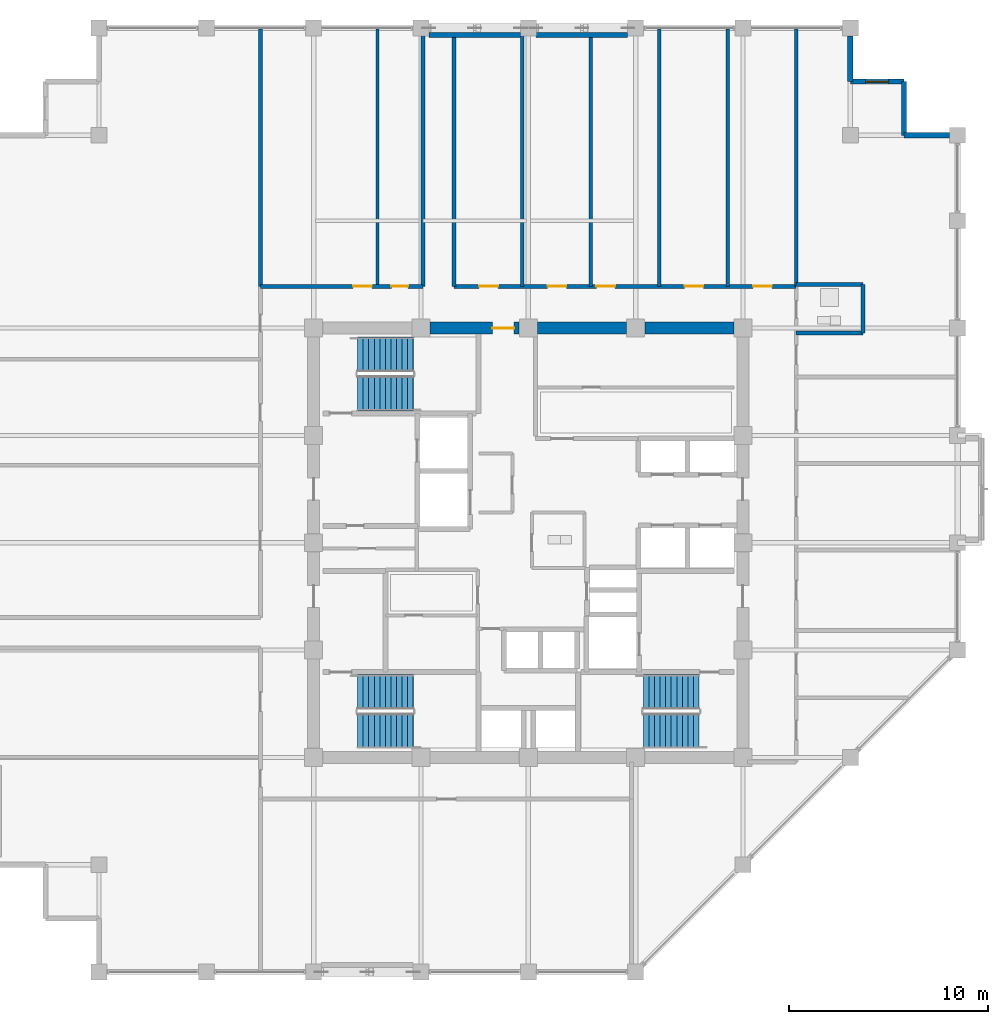
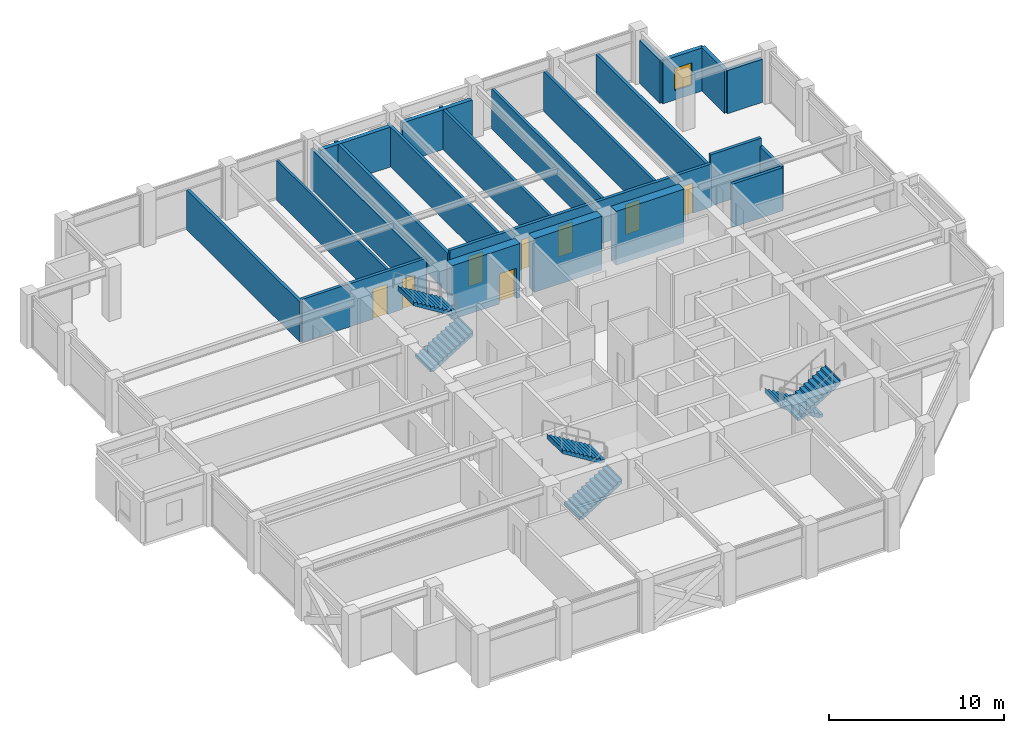
# One storey, part 25 of 28: 23 walls, 8 doors, 6 stair flights, 1 window, 9 openings, 3 elements without a shape of their own.
"""IFC4 building model written with IfcOpenShell, lengths in metres."""

from ifc_helpers import new_model, si_unit, direction, frame, frame_2d, origin, place, context, subcontext, project, spatial, polyline, rectangle, outline, extrude, material, layer, layer_set, type_object, element, fill, aggregate, save


model = new_model("IFC4")

# Units and contexts
model_context = context("Model", 3, precision=1e-05, world=origin(), true_north=direction((0.0, 1.0)))
body_context = subcontext(model_context, "Body", "Model", "MODEL_VIEW")
ifc_project = project(units=[si_unit("LENGTHUNIT", "METRE"), si_unit("AREAUNIT", "SQUARE_METRE"), si_unit("VOLUMEUNIT", "CUBIC_METRE"), si_unit("PLANEANGLEUNIT", "RADIAN"), si_unit("MASSUNIT", "GRAM", prefix="KILO")], contexts=[model_context])

# Site, building, storey
site_placement = place(None, origin())
site = spatial("IfcSite", under=ifc_project, at=site_placement, CompositionType="ELEMENT")
building_placement = place(site_placement, origin())
building = spatial("IfcBuilding", under=site, at=building_placement, Name="Surkhivell Harbour Commons", CompositionType="ELEMENT")
storey_placement = place(building_placement, frame((0.0, 0.0, 242.25)))
storey = spatial("IfcBuildingStorey", under=building, at=storey_placement, Name="L63", CompositionType="ELEMENT", Elevation=242.25)

# Wall, opening, door
ifc_material_1 = material(Name="Concrete C60/75", Category="concrete")
ifc_layer_1 = layer(ifc_material_1, 0.60009765625)
ifc_layer_set_1 = layer_set([ifc_layer_1], Name="Concrete C60/75")
wall_type_1 = type_object("IfcWallType", Name="WAL-CORE-600", PredefinedType="SHEAR", material=ifc_layer_set_1)
wall_1_placement = place(storey_placement, frame((-4.93994140625, 10.800048828125, 0.0), z_axis=(0.0, 0.0, 1.0), x_axis=(1.0, 0.0, 0.0)))
wall_1 = element("IfcWall", 1, at=wall_1_placement, inside=storey, type_object=wall_type_1, Name="L63 Core Shear Wall North 2", PredefinedType="SHEAR", context=body_context, shape_type="SweptSolid", body=[
    extrude(rectangle(XDim=4.47998046875, YDim=0.60009765625, at=frame_2d((2.239990234375, 0.0))), origin(), (0.0, 0.0, 1.0), 3.75),
])
opening_1_placement = place(wall_1_placement, frame((3.1298828125, 0.0, 0.0)))
opening_1 = element("IfcOpeningElement", 2, at=opening_1_placement, cuts=wall_1, Name="Opening ID-2", PredefinedType="OPENING", context=body_context, shape_type="SweptSolid", body=[
    extrude(rectangle(XDim=1.10009765625, YDim=2.10009765625, at=frame_2d((0.550048828125, 1.050048828125))), frame((0.0, 0.31005859375, 0.0), z_axis=(0.0, -1.0, 0.0), x_axis=(1.0, 0.0, 0.0)), (0.0, 0.0, 1.0), 0.6201171875),
])
ifc_material_2 = material(Name="Hardwood-veneered fire-rated door leaf", Category="wood")
door_type_1 = type_object("IfcDoorType", Name="DOR-FD60-1100", OperationType="NOTDEFINED", PredefinedType="DOOR", material=ifc_material_2)
door_1_placement = place(opening_1_placement, origin())
door_1 = element("IfcDoor", 3, at=door_1_placement, inside=storey, type_object=door_type_1, Name="L63 Central Core Lift Hall North Corridor Door", OperationType="SINGLE_SWING_LEFT", OverallHeight=2.10009765625, OverallWidth=1.10009765625, PredefinedType="DOOR", context=body_context, shape_type="SweptSolid", body=[
    extrude(rectangle(XDim=1.10009765625, YDim=2.10009765625, at=frame_2d((0.550048828125, 1.050048828125))), frame((0.0, 0.02490234375, 0.0), z_axis=(0.0, -1.0, 0.0), x_axis=(1.0, 0.0, 0.0)), (0.0, 0.0, 1.0), 0.050048828125),
])
fill(opening_1, door_1)

# Walls
for number, where, z_axis, x_axis, name in (
    (4, (0.4599609375, 10.800048828125, 0.0), (0.0, 0.0, 1.0), (1.0, 0.0, 0.0), "L63 Core Shear Wall North 3"),
    (5, (5.860107421875, 10.800048828125, 0.0), (0.0, 0.0, 1.0), (1.0, 0.0, 0.0), "L63 Core Shear Wall North 4"),
):
    element("IfcWall", number, at=place(storey_placement, frame(where, z_axis=z_axis, x_axis=x_axis)), inside=storey, type_object=wall_type_1, Name=name, PredefinedType="SHEAR", context=body_context, shape_type="SweptSolid", body=[
        extrude(rectangle(XDim=4.47998046875, YDim=0.60009765625, at=frame_2d((2.239990234375, 0.0))), origin(), (0.0, 0.0, 1.0), 3.75),
    ])
ifc_material_3 = material(Name="Pale-metal insulated precast concrete C45/55", Category="concrete")
ifc_layer_2 = layer(ifc_material_3, 0.260009765625)
ifc_layer_set_2 = layer_set([ifc_layer_2], Name="Pale-metal insulated precast concrete C45/55")
wall_type_2 = type_object("IfcWallType", Name="WAL-EXT-MTL260", PredefinedType="STANDARD", material=ifc_layer_set_2)
wall_2_placement = place(storey_placement, frame((21.201904296875, 20.5, 0.0), z_axis=(0.0, 0.0, 1.0), x_axis=(-1.0, 0.0, 0.0)))
element("IfcWall", 6, at=wall_2_placement, inside=storey, type_object=wall_type_2, Name="L63 Serrated Corner Facade Wall 03", PredefinedType="STANDARD", context=body_context, shape_type="SweptSolid", body=[
    extrude(rectangle(XDim=2.302001953125, YDim=0.260009765625, at=frame_2d((1.15087890625, 0.0))), origin(), (0.0, 0.0, 1.0), 3.006103515625),
])
wall_3_placement = place(storey_placement, frame((18.89990234375, 20.5, 0.0), z_axis=(0.0, 0.0, 1.0), x_axis=(0.0, 1.0, 0.0)))
element("IfcWall", 7, at=wall_3_placement, inside=storey, type_object=wall_type_2, Name="L63 Serrated Corner Facade Wall 04", PredefinedType="STANDARD", context=body_context, shape_type="SweptSolid", body=[
    extrude(rectangle(XDim=2.699951171875, YDim=0.260009765625, at=frame_2d((1.35009765625, 0.0))), origin(), (0.0, 0.0, 1.0), 3.006103515625),
])

# Wall, opening, window
wall_4_placement = place(storey_placement, frame((18.89990234375, 23.199951171875, 0.0), z_axis=(0.0, 0.0, 1.0), x_axis=(-1.0, 0.0, 0.0)))
wall_4 = element("IfcWall", 8, at=wall_4_placement, inside=storey, type_object=wall_type_2, Name="L63 Serrated Corner Facade Wall 05", PredefinedType="STANDARD", context=body_context, shape_type="SweptSolid", body=[
    extrude(rectangle(XDim=2.699951171875, YDim=0.260009765625, at=frame_2d((1.35009765625, 0.0))), origin(), (0.0, 0.0, 1.0), 3.006103515625),
])
opening_2_placement = place(wall_4_placement, frame((0.77490234375, 0.0, 0.64990234375)))
opening_2 = element("IfcOpeningElement", 9, at=opening_2_placement, cuts=wall_4, Name="Opening WN-10", PredefinedType="OPENING", context=body_context, shape_type="SweptSolid", body=[
    extrude(rectangle(XDim=1.14990234375, YDim=1.550048828125, at=frame_2d((0.574951171875, 0.77490234375))), frame((0.0, 0.139892578125, 0.0), z_axis=(0.0, -1.0, 0.0), x_axis=(1.0, 0.0, 0.0)), (0.0, 0.0, 1.0), 0.280029296875),
])
ifc_material_4 = material(Name="Thermal-break aluminium frame and double low-E glazing", Category="aluminium")
window_type = type_object("IfcWindowType", Name="WIN-SER-1150x1550", PartitioningType="SINGLE_PANEL", PredefinedType="WINDOW", material=ifc_material_4)
window_placement = place(opening_2_placement, origin())
window = element("IfcWindow", 10, at=window_placement, inside=storey, type_object=window_type, Name="L63 Serrated Alcove Window 05", OverallHeight=1.550048828125, OverallWidth=1.14990234375, PartitioningType="SINGLE_PANEL", PredefinedType="WINDOW", context=body_context, shape_type="SweptSolid", body=[
    extrude(rectangle(XDim=1.14990234375, YDim=1.550048828125, at=frame_2d((0.574951171875, 0.77490234375))), frame((0.0, 0.030029296875, 0.0), z_axis=(0.0, -1.0, 0.0), x_axis=(1.0, 0.0, 0.0)), (0.0, 0.0, 1.0), 0.06005859375),
])
fill(opening_2, window)

# Walls
wall_5_placement = place(storey_placement, frame((16.199951171875, 23.199951171875, 0.0), z_axis=(0.0, 0.0, 1.0), x_axis=(0.0, 1.0, 0.0)))
element("IfcWall", 11, at=wall_5_placement, inside=storey, type_object=wall_type_2, Name="L63 Serrated Corner Facade Wall 06", PredefinedType="STANDARD", context=body_context, shape_type="SweptSolid", body=[
    extrude(rectangle(XDim=2.302001953125, YDim=0.260009765625, at=frame_2d((1.15087890625, 0.0))), origin(), (0.0, 0.0, 1.0), 3.006103515625),
])
for number, where, z_axis, x_axis, name in (
    (12, (-0.39794921875, 25.5400390625, 0.0), (0.0, 0.0, 1.0), (-1.0, 0.0, 0.0), "L63 Braced-Bay Insulated Spandrel Backing N"),
    (13, (5.001953125, 25.5400390625, 0.0), (0.0, 0.0, 1.0), (-1.0, 0.0, 0.0), "L63 Braced-Bay Insulated Spandrel Backing N2"),
):
    element("IfcWall", number, at=place(storey_placement, frame(where, z_axis=z_axis, x_axis=x_axis)), inside=storey, type_object=wall_type_2, Name=name, PredefinedType="STANDARD", context=body_context, shape_type="SweptSolid", body=[
        extrude(rectangle(XDim=4.60400390625, YDim=0.260009765625, at=frame_2d((2.302001953125, 0.0))), origin(), (0.0, 0.0, 1.0), 2.780029296875),
    ])
ifc_material_5 = material(Name="Twin-stud acoustic fireboard partition", Category="other")
ifc_layer_3 = layer(ifc_material_5, 0.14990234375)
ifc_layer_set_3 = layer_set([ifc_layer_3], Name="Twin-stud acoustic fireboard partition")
wall_type_3 = type_object("IfcWallType", Name="WAL-INT-150", PredefinedType="PARTITIONING", material=ifc_layer_set_3)
wall_6_placement = place(storey_placement, frame((-7.590087890625, 12.89990234375, 0.0), z_axis=(0.0, 0.0, 1.0), x_axis=(0.0, 1.0, 0.0)))
element("IfcWall", 14, at=wall_6_placement, inside=storey, type_object=wall_type_3, Name="L63 North-West Partition P1", PredefinedType="PARTITIONING", context=body_context, shape_type="SweptSolid", body=[
    extrude(rectangle(XDim=12.940185546875, YDim=0.14990234375, at=frame_2d((6.47021484375, 0.0))), origin(), (0.0, 0.0, 1.0), 2.780029296875),
])
ifc_material_6 = material(Name="High-density acoustic blockwork fire partition", Category="masonry")
ifc_layer_4 = layer(ifc_material_6, 0.175048828125)
ifc_layer_set_4 = layer_set([ifc_layer_4], Name="High-density acoustic blockwork fire partition")
wall_type_4 = type_object("IfcWallType", Name="WAL-INT-175", PredefinedType="PARTITIONING", material=ifc_layer_set_4)
for number, where, z_axis, x_axis, name in (
    (15, (-0.300048828125, 12.89990234375, 0.0), (0.0, 0.0, 1.0), (0.0, 1.0, 0.0), "L63 North-East Partition P1"),
    (16, (3.139892578125, 12.89990234375, 0.0), (0.0, 0.0, 1.0), (0.0, 1.0, 0.0), "L63 North-East Partition P2"),
    (17, (6.590087890625, 12.89990234375, 0.0), (0.0, 0.0, 1.0), (0.0, 1.0, 0.0), "L63 North-East Partition P3"),
    (18, (10.030029296875, 12.89990234375, 0.0), (0.0, 0.0, 1.0), (0.0, 1.0, 0.0), "L63 North-East Partition P4"),
):
    element("IfcWall", number, at=place(storey_placement, frame(where, z_axis=z_axis, x_axis=x_axis)), inside=storey, type_object=wall_type_4, Name=name, PredefinedType="PARTITIONING", context=body_context, shape_type="SweptSolid", body=[
        extrude(rectangle(XDim=12.940185546875, YDim=0.175048828125, at=frame_2d((6.47021484375, 0.0))), origin(), (0.0, 0.0, 1.0), 2.780029296875),
    ])
ifc_material_7 = material(Name="Autoclaved aerated concrete blockwork and fire plaster", Category="masonry")
ifc_layer_5 = layer(ifc_material_7, 0.199951171875)
ifc_layer_set_5 = layer_set([ifc_layer_5], Name="Autoclaved aerated concrete blockwork and fire plaster")
wall_type_5 = type_object("IfcWallType", Name="WAL-INT-200", PredefinedType="PARTITIONING", material=ifc_layer_set_5)
for number, where, z_axis, x_axis, name in (
    (19, (13.47998046875, 12.89990234375, 0.0), (0.0, 0.0, 1.0), (0.0, 1.0, 0.0), "L63 North-East Corner Wall"),
    (20, (-13.47998046875, 12.89990234375, 0.0), (0.0, 0.0, 1.0), (0.0, 1.0, 0.0), "L63 North-West Corner Wall"),
):
    element("IfcWall", number, at=place(storey_placement, frame(where, z_axis=z_axis, x_axis=x_axis)), inside=storey, type_object=wall_type_5, Name=name, PredefinedType="PARTITIONING", context=body_context, shape_type="SweptSolid", body=[
        extrude(rectangle(XDim=12.940185546875, YDim=0.199951171875, at=frame_2d((6.47021484375, 0.0))), origin(), (0.0, 0.0, 1.0), 2.780029296875),
    ])

# Wall, openings, doors
wall_7_placement = place(storey_placement, frame((-13.47998046875, 12.89990234375, 0.0), z_axis=(0.0, 0.0, 1.0), x_axis=(1.0, 0.0, 0.0)))
wall_7 = element("IfcWall", 21, at=wall_7_placement, inside=storey, type_object=wall_type_5, Name="L63 Corridor North-West Wall", PredefinedType="PARTITIONING", context=body_context, shape_type="SweptSolid", body=[
    extrude(rectangle(XDim=8.179931640625, YDim=0.199951171875, at=frame_2d((4.08984375, 0.0))), origin(), (0.0, 0.0, 1.0), 3.006103515625),
])
opening_3_placement = place(wall_7_placement, frame((4.659912109375, 0.0, 0.0)))
opening_3 = element("IfcOpeningElement", 22, at=opening_3_placement, cuts=wall_7, Name="Opening ID-4", PredefinedType="OPENING", context=body_context, shape_type="SweptSolid", body=[
    extrude(rectangle(XDim=0.949951171875, YDim=2.10009765625, at=frame_2d((0.47509765625, 1.050048828125))), frame((0.0, 0.10986328125, 0.0), z_axis=(0.0, -1.0, 0.0), x_axis=(1.0, 0.0, 0.0)), (0.0, 0.0, 1.0), 0.219970703125),
])
opening_4_placement = place(wall_7_placement, frame((6.5849609375, 0.0, 0.0)))
opening_4 = element("IfcOpeningElement", 23, at=opening_4_placement, cuts=wall_7, Name="Opening ID-6", PredefinedType="OPENING", context=body_context, shape_type="SweptSolid", body=[
    extrude(rectangle(XDim=0.85009765625, YDim=2.10009765625, at=frame_2d((0.425048828125, 1.050048828125))), frame((0.0, 0.10986328125, 0.0), z_axis=(0.0, -1.0, 0.0), x_axis=(1.0, 0.0, 0.0)), (0.0, 0.0, 1.0), 0.219970703125),
])
door_type_2 = type_object("IfcDoorType", Name="DOR-FD30-850", OperationType="NOTDEFINED", PredefinedType="DOOR", material=ifc_material_2)
door_2_placement = place(opening_4_placement, origin())
door_2 = element("IfcDoor", 24, at=door_2_placement, inside=storey, type_object=door_type_2, Name="L63 Resident Advisory Reception Desk North-West Door", OperationType="SINGLE_SWING_RIGHT", OverallHeight=2.10009765625, OverallWidth=0.85009765625, PredefinedType="DOOR", context=body_context, shape_type="SweptSolid", body=[
    extrude(rectangle(XDim=0.85009765625, YDim=2.10009765625, at=frame_2d((0.425048828125, 1.050048828125))), frame((0.0, 0.02490234375, 0.0), z_axis=(0.0, -1.0, 0.0), x_axis=(1.0, 0.0, 0.0)), (0.0, 0.0, 1.0), 0.050048828125),
])
fill(opening_4, door_2)
door_type_3 = type_object("IfcDoorType", Name="DOR-FD60-950", OperationType="NOTDEFINED", PredefinedType="DOOR", material=ifc_material_2)
door_3_placement = place(opening_3_placement, origin())
door_3 = element("IfcDoor", 25, at=door_3_placement, inside=storey, type_object=door_type_3, Name="L63 Zone Concierge Reception Foyer North-West Door", OperationType="SINGLE_SWING_LEFT", OverallHeight=2.10009765625, OverallWidth=0.949951171875, PredefinedType="DOOR", context=body_context, shape_type="SweptSolid", body=[
    extrude(rectangle(XDim=0.949951171875, YDim=2.10009765625, at=frame_2d((0.47509765625, 1.050048828125))), frame((0.0, 0.02490234375, 0.0), z_axis=(0.0, -1.0, 0.0), x_axis=(1.0, 0.0, 0.0)), (0.0, 0.0, 1.0), 0.050048828125),
])
fill(opening_3, door_3)

wall_8_placement = place(storey_placement, frame((-3.75, 12.89990234375, 0.0), z_axis=(0.0, 0.0, 1.0), x_axis=(1.0, 0.0, 0.0)))
wall_8 = element("IfcWall", 26, at=wall_8_placement, inside=storey, type_object=wall_type_5, Name="L63 Corridor North-East Wall", PredefinedType="PARTITIONING", context=body_context, shape_type="SweptSolid", body=[
    extrude(rectangle(XDim=17.22998046875, YDim=0.199951171875, at=frame_2d((8.614990234375, 0.0))), origin(), (0.0, 0.0, 1.0), 3.006103515625),
])
opening_5_placement = place(wall_8_placement, frame((1.27490234375, 0.0, 0.0)))
opening_5 = element("IfcOpeningElement", 27, at=opening_5_placement, cuts=wall_8, Name="Opening ID-4", PredefinedType="OPENING", context=body_context, shape_type="SweptSolid", body=[
    extrude(rectangle(XDim=0.949951171875, YDim=2.10009765625, at=frame_2d((0.47509765625, 1.050048828125))), frame((0.0, 0.10986328125, 0.0), z_axis=(0.0, -1.0, 0.0), x_axis=(1.0, 0.0, 0.0)), (0.0, 0.0, 1.0), 0.219970703125),
])
opening_6_placement = place(wall_8_placement, frame((4.719970703125, 0.0, 0.0)))
opening_6 = element("IfcOpeningElement", 28, at=opening_6_placement, cuts=wall_8, Name="Opening ID-4", PredefinedType="OPENING", context=body_context, shape_type="SweptSolid", body=[
    extrude(rectangle(XDim=0.949951171875, YDim=2.10009765625, at=frame_2d((0.47509765625, 1.050048828125))), frame((0.0, 0.10986328125, 0.0), z_axis=(0.0, -1.0, 0.0), x_axis=(1.0, 0.0, 0.0)), (0.0, 0.0, 1.0), 0.219970703125),
])
opening_7_placement = place(wall_8_placement, frame((7.169921875, 0.0, 0.0)))
opening_7 = element("IfcOpeningElement", 29, at=opening_7_placement, cuts=wall_8, Name="Opening ID-4", PredefinedType="OPENING", context=body_context, shape_type="SweptSolid", body=[
    extrude(rectangle(XDim=0.949951171875, YDim=2.10009765625, at=frame_2d((0.47509765625, 1.050048828125))), frame((0.0, 0.10986328125, 0.0), z_axis=(0.0, -1.0, 0.0), x_axis=(1.0, 0.0, 0.0)), (0.0, 0.0, 1.0), 0.219970703125),
])
opening_8_placement = place(wall_8_placement, frame((11.610107421875, 0.0, 0.0)))
opening_8 = element("IfcOpeningElement", 30, at=opening_8_placement, cuts=wall_8, Name="Opening ID-4", PredefinedType="OPENING", context=body_context, shape_type="SweptSolid", body=[
    extrude(rectangle(XDim=0.949951171875, YDim=2.10009765625, at=frame_2d((0.47509765625, 1.050048828125))), frame((0.0, 0.10986328125, 0.0), z_axis=(0.0, -1.0, 0.0), x_axis=(1.0, 0.0, 0.0)), (0.0, 0.0, 1.0), 0.219970703125),
])
opening_9_placement = place(wall_8_placement, frame((15.054931640625, 0.0, 0.0)))
opening_9 = element("IfcOpeningElement", 31, at=opening_9_placement, cuts=wall_8, Name="Opening ID-4", PredefinedType="OPENING", context=body_context, shape_type="SweptSolid", body=[
    extrude(rectangle(XDim=0.949951171875, YDim=2.10009765625, at=frame_2d((0.47509765625, 1.050048828125))), frame((0.0, 0.10986328125, 0.0), z_axis=(0.0, -1.0, 0.0), x_axis=(1.0, 0.0, 0.0)), (0.0, 0.0, 1.0), 0.219970703125),
])
door_4_placement = place(opening_5_placement, origin())
door_4 = element("IfcDoor", 32, at=door_4_placement, inside=storey, type_object=door_type_3, Name="L63 Co-Working Study Office Pod 1 North-East Door", OperationType="SINGLE_SWING_LEFT", OverallHeight=2.10009765625, OverallWidth=0.949951171875, PredefinedType="DOOR", context=body_context, shape_type="SweptSolid", body=[
    extrude(rectangle(XDim=0.949951171875, YDim=2.10009765625, at=frame_2d((0.47509765625, 1.050048828125))), frame((0.0, 0.02490234375, 0.0), z_axis=(0.0, -1.0, 0.0), x_axis=(1.0, 0.0, 0.0)), (0.0, 0.0, 1.0), 0.050048828125),
])
fill(opening_5, door_4)
door_5_placement = place(opening_6_placement, origin())
door_5 = element("IfcDoor", 33, at=door_5_placement, inside=storey, type_object=door_type_3, Name="L63 Academic Seminar Pod 2 North-East Door", OperationType="SINGLE_SWING_RIGHT", OverallHeight=2.10009765625, OverallWidth=0.949951171875, PredefinedType="DOOR", context=body_context, shape_type="SweptSolid", body=[
    extrude(rectangle(XDim=0.949951171875, YDim=2.10009765625, at=frame_2d((0.47509765625, 1.050048828125))), frame((0.0, 0.02490234375, 0.0), z_axis=(0.0, -1.0, 0.0), x_axis=(1.0, 0.0, 0.0)), (0.0, 0.0, 1.0), 0.050048828125),
])
fill(opening_6, door_5)
door_6_placement = place(opening_7_placement, origin())
door_6 = element("IfcDoor", 34, at=door_6_placement, inside=storey, type_object=door_type_3, Name="L63 Harbour Espresso Cafe Shop 3 North-East Door", OperationType="SINGLE_SWING_LEFT", OverallHeight=2.10009765625, OverallWidth=0.949951171875, PredefinedType="DOOR", context=body_context, shape_type="SweptSolid", body=[
    extrude(rectangle(XDim=0.949951171875, YDim=2.10009765625, at=frame_2d((0.47509765625, 1.050048828125))), frame((0.0, 0.02490234375, 0.0), z_axis=(0.0, -1.0, 0.0), x_axis=(1.0, 0.0, 0.0)), (0.0, 0.0, 1.0), 0.050048828125),
])
fill(opening_7, door_6)
door_7_placement = place(opening_8_placement, origin())
door_7 = element("IfcDoor", 35, at=door_7_placement, inside=storey, type_object=door_type_3, Name="L63 Zone Concierge Reception Foyer 4 North-East Door", OperationType="SINGLE_SWING_RIGHT", OverallHeight=2.10009765625, OverallWidth=0.949951171875, PredefinedType="DOOR", context=body_context, shape_type="SweptSolid", body=[
    extrude(rectangle(XDim=0.949951171875, YDim=2.10009765625, at=frame_2d((0.47509765625, 1.050048828125))), frame((0.0, 0.02490234375, 0.0), z_axis=(0.0, -1.0, 0.0), x_axis=(1.0, 0.0, 0.0)), (0.0, 0.0, 1.0), 0.050048828125),
])
fill(opening_8, door_7)
door_8_placement = place(opening_9_placement, origin())
door_8 = element("IfcDoor", 36, at=door_8_placement, inside=storey, type_object=door_type_3, Name="L63 Shared Communal Kitchen 5 North-East Door", OperationType="SINGLE_SWING_LEFT", OverallHeight=2.10009765625, OverallWidth=0.949951171875, PredefinedType="DOOR", context=body_context, shape_type="SweptSolid", body=[
    extrude(rectangle(XDim=0.949951171875, YDim=2.10009765625, at=frame_2d((0.47509765625, 1.050048828125))), frame((0.0, 0.02490234375, 0.0), z_axis=(0.0, -1.0, 0.0), x_axis=(1.0, 0.0, 0.0)), (0.0, 0.0, 1.0), 0.050048828125),
])
fill(opening_9, door_8)

# Walls
for number, where, z_axis, x_axis, name in (
    (37, (-3.75, 12.89990234375, 0.0), (0.0, 0.0, 1.0), (0.0, 1.0, 0.0), "L63 North Spur East Wall"),
    (38, (-5.300048828125, 12.89990234375, 0.0), (0.0, 0.0, 1.0), (0.0, 1.0, 0.0), "L63 North Spur West Wall"),
):
    element("IfcWall", number, at=place(storey_placement, frame(where, z_axis=z_axis, x_axis=x_axis)), inside=storey, type_object=wall_type_5, Name=name, PredefinedType="PARTITIONING", context=body_context, shape_type="SweptSolid", body=[
        extrude(rectangle(XDim=12.940185546875, YDim=0.199951171875, at=frame_2d((6.47021484375, 0.0))), origin(), (0.0, 0.0, 1.0), 2.780029296875),
    ])
wall_9_placement = place(storey_placement, frame((16.830078125, 10.550048828125, 0.0), z_axis=(0.0, 0.0, 1.0), x_axis=(0.0, 1.0, 0.0)))
element("IfcWall", 39, at=wall_9_placement, inside=storey, type_object=wall_type_5, Name="L63 East Partition BTHB", PredefinedType="PARTITIONING", context=body_context, shape_type="SweptSolid", body=[
    extrude(rectangle(XDim=2.449951171875, YDim=0.199951171875, at=frame_2d((1.22509765625, 0.0))), origin(), (0.0, 0.0, 1.0), 3.006103515625),
])
wall_10_placement = place(storey_placement, frame((13.47998046875, 13.0, 0.0), z_axis=(0.0, 0.0, 1.0), x_axis=(1.0, 0.0, 0.0)))
element("IfcWall", 40, at=wall_10_placement, inside=storey, type_object=wall_type_5, Name="L63 East Partition BTHN", PredefinedType="PARTITIONING", context=body_context, shape_type="SweptSolid", body=[
    extrude(rectangle(XDim=3.35009765625, YDim=0.199951171875, at=frame_2d((1.675048828125, 0.0))), origin(), (0.0, 0.0, 1.0), 3.570068359375),
])
wall_11_placement = place(storey_placement, frame((13.47998046875, 10.550048828125, 0.0), z_axis=(0.0, 0.0, 1.0), x_axis=(1.0, 0.0, 0.0)))
element("IfcWall", 41, at=wall_11_placement, inside=storey, type_object=wall_type_5, Name="L63 East Partition BTHS", PredefinedType="PARTITIONING", context=body_context, shape_type="SweptSolid", body=[
    extrude(rectangle(XDim=3.35009765625, YDim=0.199951171875, at=frame_2d((1.675048828125, 0.0))), origin(), (0.0, 0.0, 1.0), 3.006103515625),
])

# Stair, stair flights
ifc_material_8 = material(Name="Precast concrete C45/55", Category="concrete")
stair_type = type_object("IfcStairType", Name="STR-DL-375", PredefinedType="HALF_TURN_STAIR", material=ifc_material_8)
stair_1_placement = place(storey_placement, origin())
stair_1 = element("IfcStair", 42, at=stair_1_placement, inside=storey, type_object=stair_type, Name="L63 Core Exit Stair ST1", PredefinedType="HALF_TURN_STAIR")
stair_flight_type = type_object("IfcStairFlightType", Name="STF-DL-375", PredefinedType="STRAIGHT", material=ifc_material_8)
stair_flight_1_placement = place(storey_placement, frame((-8.590087890625, 7.514892578125, 0.0), z_axis=(0.0, 0.0, 1.0), x_axis=(1.0, 0.0, 0.0)))
stair_flight_1 = element("IfcStairFlight", 43, at=stair_flight_1_placement, type_object=stair_flight_type, Name="ST1 flight 1", NumberOfRisers=11, NumberOfTreads=10, PredefinedType="STRAIGHT", RiserHeight=0.170454545, TreadLength=0.28, context=body_context, shape_type="SweptSolid", body=[
    extrude(outline(polyline([(-0.0029296875, -0.034912109375), (-0.0029296875, 0.0), (0.0, 0.0), (0.0, 0.17041015625), (0.280029296875, 0.17041015625), (0.280029296875, 0.3408203125), (0.56005859375, 0.3408203125), (0.56005859375, 0.511474609375), (0.840087890625, 0.511474609375), (0.840087890625, 0.681884765625), (1.1201171875, 0.681884765625), (1.1201171875, 0.852294921875), (1.39990234375, 0.852294921875), (1.39990234375, 1.022705078125), (1.679931640625, 1.022705078125), (1.679931640625, 1.193115234375), (1.9599609375, 1.193115234375), (1.9599609375, 1.363525390625), (2.239990234375, 1.363525390625), (2.239990234375, 1.5341796875), (2.52001953125, 1.5341796875), (2.52001953125, 1.70458984375), (2.800048828125, 1.70458984375), (2.800048828125, 1.875), (2.802978515625, 1.875), (2.802978515625, 1.529052734375), (0.288330078125, -0.034912109375), (-0.0029296875, -0.034912109375)])), frame((0.0, 0.875, 0.0), z_axis=(0.0, -1.0, 0.0), x_axis=(1.0, 0.0, 0.0)), (0.0, 0.0, 1.0), 1.75),
])
stair_flight_2_placement = place(storey_placement, frame((-5.7900390625, 9.465087890625, 1.875), z_axis=(0.0, 0.0, 1.0), x_axis=(-1.0, 0.0, 0.0)))
stair_flight_2 = element("IfcStairFlight", 44, at=stair_flight_2_placement, type_object=stair_flight_type, Name="ST1 flight 2", NumberOfRisers=11, NumberOfTreads=10, PredefinedType="STRAIGHT", RiserHeight=0.170454545, TreadLength=0.28, context=body_context, shape_type="SweptSolid", body=[
    extrude(outline(polyline([(-0.0029296875, -0.034912109375), (-0.0029296875, 0.0), (0.0, 0.0), (0.0, 0.17041015625), (0.280029296875, 0.17041015625), (0.280029296875, 0.3408203125), (0.56005859375, 0.3408203125), (0.56005859375, 0.511474609375), (0.840087890625, 0.511474609375), (0.840087890625, 0.681884765625), (1.1201171875, 0.681884765625), (1.1201171875, 0.852294921875), (1.39990234375, 0.852294921875), (1.39990234375, 1.022705078125), (1.679931640625, 1.022705078125), (1.679931640625, 1.193115234375), (1.9599609375, 1.193115234375), (1.9599609375, 1.363525390625), (2.239990234375, 1.363525390625), (2.239990234375, 1.5341796875), (2.52001953125, 1.5341796875), (2.52001953125, 1.70458984375), (2.800048828125, 1.70458984375), (2.800048828125, 1.875), (2.802978515625, 1.875), (2.802978515625, 1.529052734375), (0.288330078125, -0.034912109375), (-0.0029296875, -0.034912109375)])), frame((0.0, 0.875, 0.0), z_axis=(0.0, -1.0, 0.0), x_axis=(1.0, 0.0, 0.0)), (0.0, 0.0, 1.0), 1.75),
])
aggregate(stair_1, [stair_flight_1, stair_flight_2])

stair_2_placement = place(storey_placement, origin())
stair_2 = element("IfcStair", 45, at=stair_2_placement, inside=storey, type_object=stair_type, Name="L63 Core Exit Stair ST2", PredefinedType="HALF_TURN_STAIR")
stair_flight_3_placement = place(storey_placement, frame((8.590087890625, -7.514892578125, 0.0), z_axis=(0.0, 0.0, 1.0), x_axis=(-1.0, 0.0, 0.0)))
stair_flight_3 = element("IfcStairFlight", 46, at=stair_flight_3_placement, type_object=stair_flight_type, Name="ST2 flight 1", NumberOfRisers=11, NumberOfTreads=10, PredefinedType="STRAIGHT", RiserHeight=0.170454545, TreadLength=0.28, context=body_context, shape_type="SweptSolid", body=[
    extrude(outline(polyline([(-0.0029296875, -0.034912109375), (-0.0029296875, 0.0), (0.0, 0.0), (0.0, 0.17041015625), (0.280029296875, 0.17041015625), (0.280029296875, 0.3408203125), (0.56005859375, 0.3408203125), (0.56005859375, 0.511474609375), (0.840087890625, 0.511474609375), (0.840087890625, 0.681884765625), (1.1201171875, 0.681884765625), (1.1201171875, 0.852294921875), (1.39990234375, 0.852294921875), (1.39990234375, 1.022705078125), (1.679931640625, 1.022705078125), (1.679931640625, 1.193115234375), (1.9599609375, 1.193115234375), (1.9599609375, 1.363525390625), (2.239990234375, 1.363525390625), (2.239990234375, 1.5341796875), (2.52001953125, 1.5341796875), (2.52001953125, 1.70458984375), (2.800048828125, 1.70458984375), (2.800048828125, 1.875), (2.802978515625, 1.875), (2.802978515625, 1.529052734375), (0.288330078125, -0.034912109375), (-0.0029296875, -0.034912109375)])), frame((0.0, 0.875, 0.0), z_axis=(0.0, -1.0, 0.0), x_axis=(1.0, 0.0, 0.0)), (0.0, 0.0, 1.0), 1.75),
])
stair_flight_4_placement = place(storey_placement, frame((5.7900390625, -9.465087890625, 1.875), z_axis=(0.0, 0.0, 1.0), x_axis=(1.0, 0.0, 0.0)))
stair_flight_4 = element("IfcStairFlight", 47, at=stair_flight_4_placement, type_object=stair_flight_type, Name="ST2 flight 2", NumberOfRisers=11, NumberOfTreads=10, PredefinedType="STRAIGHT", RiserHeight=0.170454545, TreadLength=0.28, context=body_context, shape_type="SweptSolid", body=[
    extrude(outline(polyline([(-0.0029296875, -0.034912109375), (-0.0029296875, 0.0), (0.0, 0.0), (0.0, 0.17041015625), (0.280029296875, 0.17041015625), (0.280029296875, 0.3408203125), (0.56005859375, 0.3408203125), (0.56005859375, 0.511474609375), (0.840087890625, 0.511474609375), (0.840087890625, 0.681884765625), (1.1201171875, 0.681884765625), (1.1201171875, 0.852294921875), (1.39990234375, 0.852294921875), (1.39990234375, 1.022705078125), (1.679931640625, 1.022705078125), (1.679931640625, 1.193115234375), (1.9599609375, 1.193115234375), (1.9599609375, 1.363525390625), (2.239990234375, 1.363525390625), (2.239990234375, 1.5341796875), (2.52001953125, 1.5341796875), (2.52001953125, 1.70458984375), (2.800048828125, 1.70458984375), (2.800048828125, 1.875), (2.802978515625, 1.875), (2.802978515625, 1.529052734375), (0.288330078125, -0.034912109375), (-0.0029296875, -0.034912109375)])), frame((0.0, 0.875, 0.0), z_axis=(0.0, -1.0, 0.0), x_axis=(1.0, 0.0, 0.0)), (0.0, 0.0, 1.0), 1.75),
])
aggregate(stair_2, [stair_flight_3, stair_flight_4])

stair_3_placement = place(storey_placement, origin())
stair_3 = element("IfcStair", 48, at=stair_3_placement, inside=storey, type_object=stair_type, Name="L63 Core Exit Stair ST3", PredefinedType="HALF_TURN_STAIR")
stair_flight_5_placement = place(storey_placement, frame((-8.590087890625, -9.465087890625, 0.0), z_axis=(0.0, 0.0, 1.0), x_axis=(1.0, 0.0, 0.0)))
stair_flight_5 = element("IfcStairFlight", 49, at=stair_flight_5_placement, type_object=stair_flight_type, Name="ST3 flight 1", NumberOfRisers=11, NumberOfTreads=10, PredefinedType="STRAIGHT", RiserHeight=0.170454545, TreadLength=0.28, context=body_context, shape_type="SweptSolid", body=[
    extrude(outline(polyline([(-0.0029296875, -0.034912109375), (-0.0029296875, 0.0), (0.0, 0.0), (0.0, 0.17041015625), (0.280029296875, 0.17041015625), (0.280029296875, 0.3408203125), (0.56005859375, 0.3408203125), (0.56005859375, 0.511474609375), (0.840087890625, 0.511474609375), (0.840087890625, 0.681884765625), (1.1201171875, 0.681884765625), (1.1201171875, 0.852294921875), (1.39990234375, 0.852294921875), (1.39990234375, 1.022705078125), (1.679931640625, 1.022705078125), (1.679931640625, 1.193115234375), (1.9599609375, 1.193115234375), (1.9599609375, 1.363525390625), (2.239990234375, 1.363525390625), (2.239990234375, 1.5341796875), (2.52001953125, 1.5341796875), (2.52001953125, 1.70458984375), (2.800048828125, 1.70458984375), (2.800048828125, 1.875), (2.802978515625, 1.875), (2.802978515625, 1.529052734375), (0.288330078125, -0.034912109375), (-0.0029296875, -0.034912109375)])), frame((0.0, 0.875, 0.0), z_axis=(0.0, -1.0, 0.0), x_axis=(1.0, 0.0, 0.0)), (0.0, 0.0, 1.0), 1.75),
])
stair_flight_6_placement = place(storey_placement, frame((-5.7900390625, -7.514892578125, 1.875), z_axis=(0.0, 0.0, 1.0), x_axis=(-1.0, 0.0, 0.0)))
stair_flight_6 = element("IfcStairFlight", 50, at=stair_flight_6_placement, type_object=stair_flight_type, Name="ST3 flight 2", NumberOfRisers=11, NumberOfTreads=10, PredefinedType="STRAIGHT", RiserHeight=0.170454545, TreadLength=0.28, context=body_context, shape_type="SweptSolid", body=[
    extrude(outline(polyline([(-0.0029296875, -0.034912109375), (-0.0029296875, 0.0), (0.0, 0.0), (0.0, 0.17041015625), (0.280029296875, 0.17041015625), (0.280029296875, 0.3408203125), (0.56005859375, 0.3408203125), (0.56005859375, 0.511474609375), (0.840087890625, 0.511474609375), (0.840087890625, 0.681884765625), (1.1201171875, 0.681884765625), (1.1201171875, 0.852294921875), (1.39990234375, 0.852294921875), (1.39990234375, 1.022705078125), (1.679931640625, 1.022705078125), (1.679931640625, 1.193115234375), (1.9599609375, 1.193115234375), (1.9599609375, 1.363525390625), (2.239990234375, 1.363525390625), (2.239990234375, 1.5341796875), (2.52001953125, 1.5341796875), (2.52001953125, 1.70458984375), (2.800048828125, 1.70458984375), (2.800048828125, 1.875), (2.802978515625, 1.875), (2.802978515625, 1.529052734375), (0.288330078125, -0.034912109375), (-0.0029296875, -0.034912109375)])), frame((0.0, 0.875, 0.0), z_axis=(0.0, -1.0, 0.0), x_axis=(1.0, 0.0, 0.0)), (0.0, 0.0, 1.0), 1.75),
])
aggregate(stair_3, [stair_flight_5, stair_flight_6])

save(model, "model.ifc")
